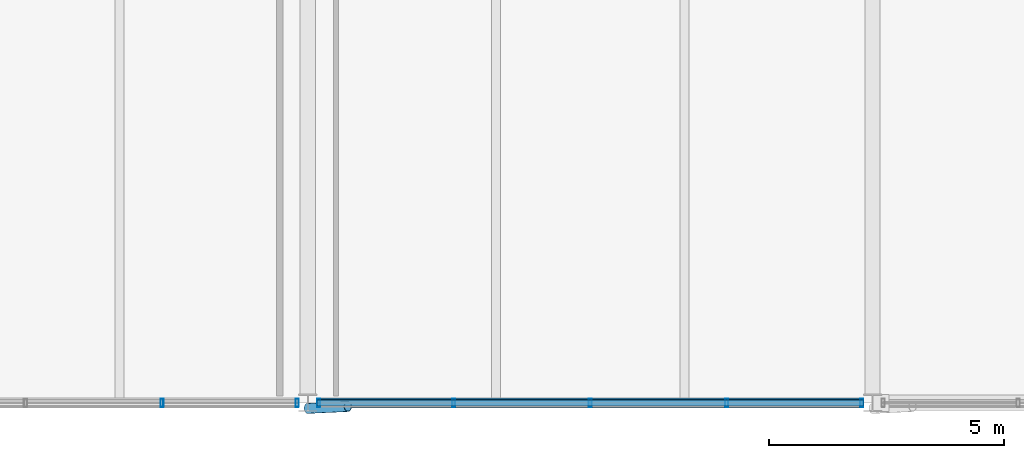
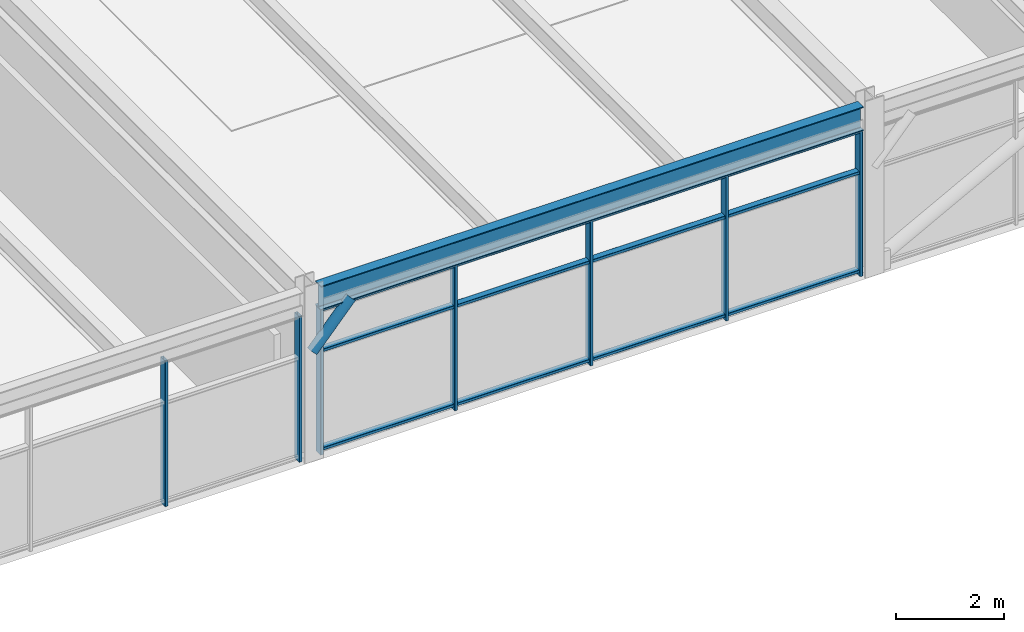
# One storey, part 29 of 49: 11 members, 1 beam, 2 elements without a shape of their own.
"""IFC4 building model written with IfcOpenShell, lengths in metres."""

from ifc_helpers import new_model, si_unit, direction, frame, origin, origin_2d, place, context, subcontext, project, spatial, hollow_rectangle, hollow_circle, i_section, extrude, material, material_profile, profile_set, type_object, element, aggregate, save


model = new_model("IFC4")

# Units and contexts
model_context = context("Model", 3, precision=1e-05, world=origin(), true_north=direction((0.0, 1.0)))
body_context = subcontext(model_context, "Body", "Model", "MODEL_VIEW")
ifc_project = project(units=[si_unit("LENGTHUNIT", "METRE"), si_unit("AREAUNIT", "SQUARE_METRE"), si_unit("VOLUMEUNIT", "CUBIC_METRE"), si_unit("PLANEANGLEUNIT", "RADIAN"), si_unit("MASSUNIT", "GRAM", prefix="KILO")], contexts=[model_context])

# Site, building, storey
site_placement = place(None, origin())
site = spatial("IfcSite", under=ifc_project, at=site_placement, CompositionType="ELEMENT")
building_placement = place(site_placement, origin())
building = spatial("IfcBuilding", under=site, at=building_placement, Name="Girod Span Mobility Hub", CompositionType="ELEMENT")
storey_placement = place(building_placement, frame((0.0, 0.0, 37.60009765625)))
storey = spatial("IfcBuildingStorey", under=building, at=storey_placement, Name="L09", CompositionType="ELEMENT", Elevation=37.60009765625)

# Beam
ifc_material_1 = material(Name="Steel A992 Grade 50", Category="steel")
ifc_material_profile_1 = material_profile(ifc_material_1, i_section(OverallWidth=0.2119140625, OverallDepth=0.5439453125, WebThickness=0.01318359375, FlangeThickness=0.021240234375, FilletRadius=0.014892578125, at=origin_2d()), Name="W21X83")
ifc_profile_set_1 = profile_set([ifc_material_profile_1], Name="Steel A992 Grade 50")
beam_type = type_object("IfcBeamType", Name="BM-STL-W21X83", PredefinedType="SPANDREL", material=ifc_profile_set_1)
beam_placement = place(storey_placement, frame((108.194091796875, 27.0, 3.56298828125), z_axis=(1.0, 0.0, 0.0), x_axis=(0.0, 1.0, 0.0)))
element("IfcBeam", 1, at=beam_placement, inside=storey, type_object=beam_type, Name="Girder 10-11/C L09", PredefinedType="SPANDREL", context=body_context, shape_type="SweptSolid", body=[
    extrude(i_section(OverallWidth=0.2119140625, OverallDepth=0.5439453125, WebThickness=0.01318359375, FlangeThickness=0.021240234375, FilletRadius=0.014892578125, at=origin_2d()), origin(), (0.0, 0.0, 1.0), 11.61181640625),
])

# Curtain wall, members
ifc_material_2 = material(Name="Thermally Broken Anodised Aluminium", Category="aluminium")
curtain_wall_type = type_object("IfcCurtainWallType", Name="CW-1161X329", PredefinedType="USERDEFINED", material=ifc_material_2)
curtain_wall_1_placement = place(storey_placement, origin())
curtain_wall_1 = element("IfcCurtainWall", 2, at=curtain_wall_1_placement, inside=storey, type_object=curtain_wall_type, Name="Unitised Curtain Wall CW-L09-S09 L09", ObjectType="UNITISED CURTAIN WALL", PredefinedType="USERDEFINED")
ifc_material_3 = material(Name="Thermally Broken Anodised Aluminium", Category="aluminium")
ifc_material_profile_2 = material_profile(ifc_material_3, hollow_rectangle(XDim=0.179931640625, YDim=0.06494140625, WallThickness=0.00390625, InnerFilletRadius=0.00390625, OuterFilletRadius=0.008056640625, at=origin_2d()), Name="CW-ML-65X180")
ifc_profile_set_2 = profile_set([ifc_material_profile_2], Name="Thermally Broken Anodised Aluminium")
member_type_1 = type_object("IfcMemberType", Name="CWM-ML-2", PredefinedType="MULLION", material=ifc_profile_set_2)
member_1_placement = place(storey_placement, frame((104.902587890625, 27.0, 0.0), z_axis=(0.0, 0.0, 1.0), x_axis=(0.0, 1.0, 0.0)))
member_1 = element("IfcMember", 3, at=member_1_placement, type_object=member_type_1, Name="Curtain Wall Mullion CW-L09-S09-M3", PredefinedType="MULLION", context=body_context, shape_type="SweptSolid", body=[
    extrude(hollow_rectangle(XDim=0.179931640625, YDim=0.06494140625, WallThickness=0.00390625, InnerFilletRadius=0.00390625, OuterFilletRadius=0.008056640625, at=origin_2d()), origin(), (0.0, 0.0, 1.0), 3.291015625),
])
member_2_placement = place(storey_placement, frame((107.77294921875, 27.0, 0.0), z_axis=(0.0, 0.0, 1.0), x_axis=(0.0, 1.0, 0.0)))
member_2 = element("IfcMember", 4, at=member_2_placement, type_object=member_type_1, Name="Curtain Wall Mullion CW-L09-S09-M4", PredefinedType="MULLION", context=body_context, shape_type="SweptSolid", body=[
    extrude(hollow_rectangle(XDim=0.179931640625, YDim=0.06494140625, WallThickness=0.00390625, InnerFilletRadius=0.00390625, OuterFilletRadius=0.008056640625, at=origin_2d()), origin(), (0.0, 0.0, 1.0), 3.291015625),
])
aggregate(curtain_wall_1, [member_1, member_2])

curtain_wall_2_placement = place(storey_placement, origin())
curtain_wall_2 = element("IfcCurtainWall", 5, at=curtain_wall_2_placement, inside=storey, type_object=curtain_wall_type, Name="Unitised Curtain Wall CW-L09-S10 L09", ObjectType="UNITISED CURTAIN WALL", PredefinedType="USERDEFINED")
member_3_placement = place(storey_placement, frame((108.22705078125, 27.0, 0.0), z_axis=(0.0, 0.0, 1.0), x_axis=(0.0, 1.0, 0.0)))
member_3 = element("IfcMember", 6, at=member_3_placement, type_object=member_type_1, Name="Curtain Wall Mullion CW-L09-S10-M0", PredefinedType="MULLION", context=body_context, shape_type="SweptSolid", body=[
    extrude(hollow_rectangle(XDim=0.179931640625, YDim=0.06494140625, WallThickness=0.00390625, InnerFilletRadius=0.00390625, OuterFilletRadius=0.008056640625, at=origin_2d()), origin(), (0.0, 0.0, 1.0), 3.291015625),
])
member_4_placement = place(storey_placement, frame((111.097412109375, 27.0, 0.0), z_axis=(0.0, 0.0, 1.0), x_axis=(0.0, 1.0, 0.0)))
member_4 = element("IfcMember", 7, at=member_4_placement, type_object=member_type_1, Name="Curtain Wall Mullion CW-L09-S10-M1", PredefinedType="MULLION", context=body_context, shape_type="SweptSolid", body=[
    extrude(hollow_rectangle(XDim=0.179931640625, YDim=0.06494140625, WallThickness=0.00390625, InnerFilletRadius=0.00390625, OuterFilletRadius=0.008056640625, at=origin_2d()), origin(), (0.0, 0.0, 1.0), 3.291015625),
])
member_5_placement = place(storey_placement, frame((114.0, 27.0, 0.0), z_axis=(0.0, 0.0, 1.0), x_axis=(0.0, 1.0, 0.0)))
member_5 = element("IfcMember", 8, at=member_5_placement, type_object=member_type_1, Name="Curtain Wall Mullion CW-L09-S10-M2", PredefinedType="MULLION", context=body_context, shape_type="SweptSolid", body=[
    extrude(hollow_rectangle(XDim=0.179931640625, YDim=0.06494140625, WallThickness=0.00390625, InnerFilletRadius=0.00390625, OuterFilletRadius=0.008056640625, at=origin_2d()), origin(), (0.0, 0.0, 1.0), 3.291015625),
])
member_6_placement = place(storey_placement, frame((116.902587890625, 27.0, 0.0), z_axis=(0.0, 0.0, 1.0), x_axis=(0.0, 1.0, 0.0)))
member_6 = element("IfcMember", 9, at=member_6_placement, type_object=member_type_1, Name="Curtain Wall Mullion CW-L09-S10-M3", PredefinedType="MULLION", context=body_context, shape_type="SweptSolid", body=[
    extrude(hollow_rectangle(XDim=0.179931640625, YDim=0.06494140625, WallThickness=0.00390625, InnerFilletRadius=0.00390625, OuterFilletRadius=0.008056640625, at=origin_2d()), origin(), (0.0, 0.0, 1.0), 3.291015625),
])
member_7_placement = place(storey_placement, frame((119.77294921875, 27.0, 0.0), z_axis=(0.0, 0.0, 1.0), x_axis=(0.0, 1.0, 0.0)))
member_7 = element("IfcMember", 10, at=member_7_placement, type_object=member_type_1, Name="Curtain Wall Mullion CW-L09-S10-M4", PredefinedType="MULLION", context=body_context, shape_type="SweptSolid", body=[
    extrude(hollow_rectangle(XDim=0.179931640625, YDim=0.06494140625, WallThickness=0.00390625, InnerFilletRadius=0.00390625, OuterFilletRadius=0.008056640625, at=origin_2d()), origin(), (0.0, 0.0, 1.0), 3.291015625),
])
ifc_material_4 = material(Name="Thermally Broken Anodised Aluminium", Category="aluminium")
ifc_material_profile_3 = material_profile(ifc_material_4, hollow_rectangle(XDim=0.135009765625, YDim=0.06494140625, WallThickness=0.00390625, InnerFilletRadius=0.00390625, OuterFilletRadius=0.008056640625, at=origin_2d()), Name="CW-TR-65X135")
ifc_profile_set_3 = profile_set([ifc_material_profile_3], Name="Thermally Broken Anodised Aluminium")
member_type_2 = type_object("IfcMemberType", Name="CWM-TR-2", PredefinedType="USERDEFINED", material=ifc_profile_set_3)
member_8_placement = place(storey_placement, frame((108.195068359375, 27.0, 0.107421875), z_axis=(1.0, 0.0, 0.0), x_axis=(0.0, 1.0, 0.0)))
member_8 = element("IfcMember", 11, at=member_8_placement, type_object=member_type_2, Name="Curtain Wall Transom CW-L09-S10-T1", ObjectType="TRANSOM", PredefinedType="USERDEFINED", context=body_context, shape_type="SweptSolid", body=[
    extrude(hollow_rectangle(XDim=0.135009765625, YDim=0.06494140625, WallThickness=0.00390625, InnerFilletRadius=0.00390625, OuterFilletRadius=0.008056640625, at=origin_2d()), origin(), (0.0, 0.0, 1.0), 11.60986328125),
])
member_9_placement = place(storey_placement, frame((108.195068359375, 27.0, 2.3369140625), z_axis=(1.0, 0.0, 0.0), x_axis=(0.0, 1.0, 0.0)))
member_9 = element("IfcMember", 12, at=member_9_placement, type_object=member_type_2, Name="Curtain Wall Transom CW-L09-S10-T2", ObjectType="TRANSOM", PredefinedType="USERDEFINED", context=body_context, shape_type="SweptSolid", body=[
    extrude(hollow_rectangle(XDim=0.135009765625, YDim=0.06494140625, WallThickness=0.00390625, InnerFilletRadius=0.00390625, OuterFilletRadius=0.008056640625, at=origin_2d()), origin(), (0.0, 0.0, 1.0), 11.60986328125),
])
member_10_placement = place(storey_placement, frame((108.195068359375, 27.0, 3.25830078125), z_axis=(1.0, 0.0, 0.0), x_axis=(0.0, 1.0, 0.0)))
member_10 = element("IfcMember", 13, at=member_10_placement, type_object=member_type_2, Name="Curtain Wall Transom CW-L09-S10-T3", ObjectType="TRANSOM", PredefinedType="USERDEFINED", context=body_context, shape_type="SweptSolid", body=[
    extrude(hollow_rectangle(XDim=0.135009765625, YDim=0.06494140625, WallThickness=0.00390625, InnerFilletRadius=0.00390625, OuterFilletRadius=0.008056640625, at=origin_2d()), origin(), (0.0, 0.0, 1.0), 11.60986328125),
])
aggregate(curtain_wall_2, [member_3, member_4, member_5, member_6, member_7, member_8, member_9, member_10])

# Member
ifc_material_5 = material(Name="Steel HSS A500 Grade C", Category="steel")
ifc_material_profile_4 = material_profile(ifc_material_5, hollow_circle(Radius=0.109619140625, WallThickness=0.0087890625, at=origin_2d()), Name="HSS219X9.5")
ifc_profile_set_4 = profile_set([ifc_material_profile_4], Name="Steel HSS A500 Grade C")
member_type_3 = type_object("IfcMemberType", Name="MB-ST-HSS219", PredefinedType="STRUT", material=ifc_profile_set_4)
member_11_placement = place(storey_placement, frame((108.0, 26.8798828125, 2.449951171875), z_axis=(0.684284972261, 0.032229389848, 0.728502122967), x_axis=(-0.047047213483, 0.998892666758, 0.0)))
element("IfcMember", 14, at=member_11_placement, inside=storey, type_object=member_type_3, Name="Solar Shading Knee Strut 10 L09", PredefinedType="STRUT", context=body_context, shape_type="SweptSolid", body=[
    extrude(hollow_circle(Radius=0.109619140625, WallThickness=0.0087890625, at=origin_2d()), origin(), (0.0, 0.0, 1.0), 1.242431640625),
])

save(model, "model.ifc")
